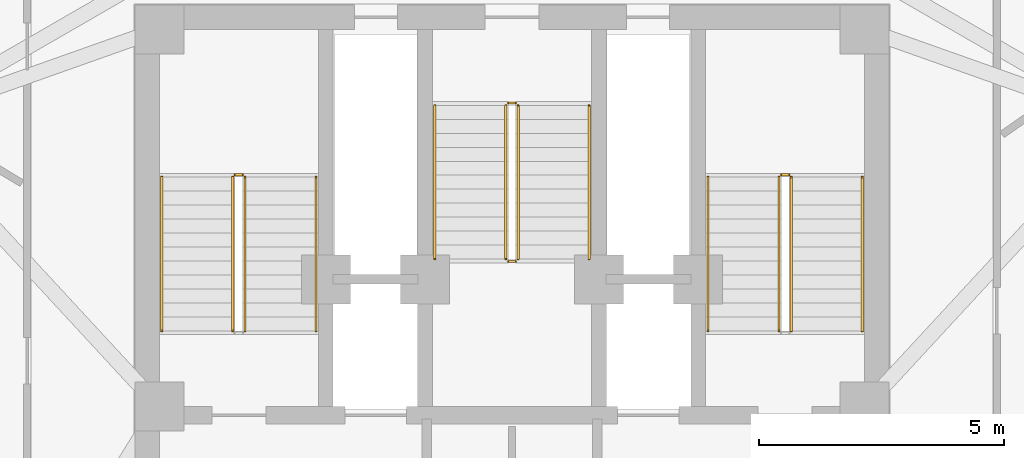
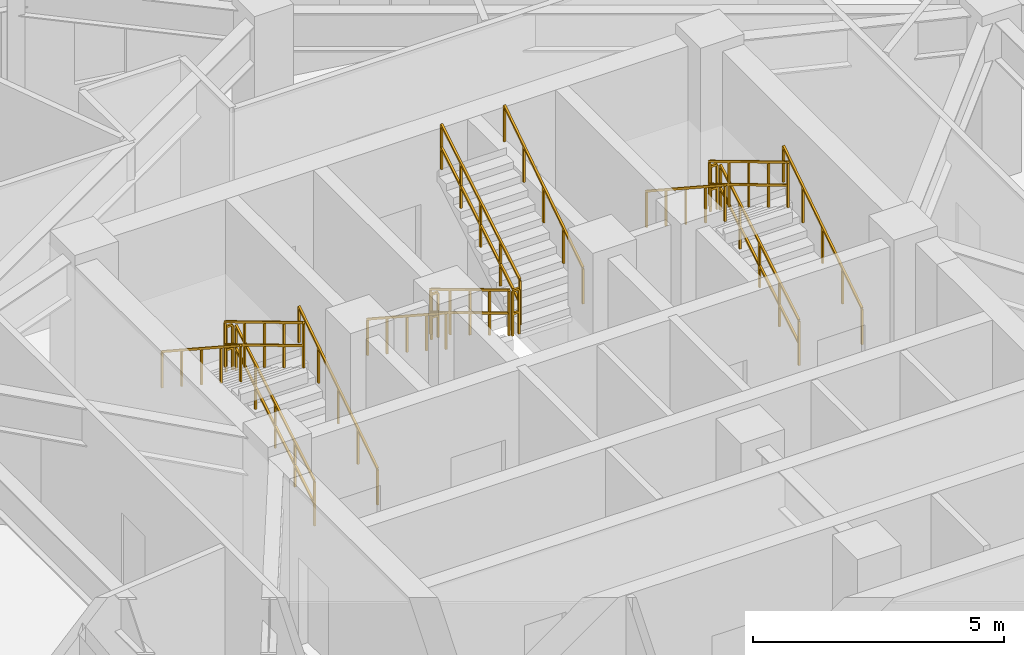
# One storey, part 10 of 10: 16 railings.
"""IFC4 building model written with IfcOpenShell, lengths in metres."""

from ifc_helpers import new_model, si_unit, direction, frame, origin, origin_2d, place, context, subcontext, project, spatial, rectangle, extrude, material, type_object, element, save


model = new_model("IFC4")

# Units and contexts
model_context = context("Model", 3, precision=1e-05, world=origin(), true_north=direction((0.0, 1.0)))
body_context = subcontext(model_context, "Body", "Model", "MODEL_VIEW")
ifc_project = project(units=[si_unit("LENGTHUNIT", "METRE"), si_unit("AREAUNIT", "SQUARE_METRE"), si_unit("VOLUMEUNIT", "CUBIC_METRE"), si_unit("PLANEANGLEUNIT", "RADIAN"), si_unit("MASSUNIT", "GRAM", prefix="KILO")], contexts=[model_context])

# Site, building, storey
site_placement = place(None, origin())
site = spatial("IfcSite", under=ifc_project, at=site_placement, CompositionType="ELEMENT")
building_placement = place(site_placement, origin())
building = spatial("IfcBuilding", under=site, at=building_placement, Name="Apsidion Concourse Tower", CompositionType="ELEMENT")
storey_placement = place(building_placement, frame((0.0, 0.0, 269.60009765625)))
storey = spatial("IfcBuildingStorey", under=building, at=storey_placement, Name="L63", CompositionType="ELEMENT", Elevation=269.60009765625)

# Railings
ifc_material = material(Name="Brushed stainless steel 316", Category="steel")
railing_type_1 = type_object("IfcRailingType", Name="RL-GUARD-1100", PredefinedType="GUARDRAIL", material=ifc_material)
railing_1_placement = place(storey_placement, frame((-5.449951171875, 3.0, 0.170654296875)))
element("IfcRailing", 1, at=railing_1_placement, inside=storey, type_object=railing_type_1, Name="L63 ST1 stair guard 1", PredefinedType="GUARDRAIL", context=body_context, shape_type="SweptSolid", body=[
    extrude(rectangle(XDim=0.048095703125, YDim=0.048095703125, at=origin_2d()), frame((0.0, 0.0, 1.09619140625), z_axis=(0.0, 0.857716804754, 0.514122439544), x_axis=(-1.0, 0.0, 0.0)), (0.0, 0.0, 1.0), 3.655029296875),
    extrude(rectangle(XDim=0.048095703125, YDim=0.048095703125, at=origin_2d()), frame((0.0, 0.0, 0.5361328125), z_axis=(0.0, 0.857716804754, 0.514122439544), x_axis=(-1.0, 0.0, 0.0)), (0.0, 0.0, 1.0), 3.655029296875),
    extrude(rectangle(XDim=0.0419921875, YDim=0.0419921875, at=origin_2d()), origin(), (0.0, 0.0, 1.0), 1.072021484375),
    extrude(rectangle(XDim=0.0419921875, YDim=0.0419921875, at=origin_2d()), frame((0.0, 0.78369140625, 0.4697265625)), (0.0, 0.0, 1.0), 1.072021484375),
    extrude(rectangle(XDim=0.0419921875, YDim=0.0419921875, at=origin_2d()), frame((0.0, 1.5673828125, 0.939453125)), (0.0, 0.0, 1.0), 1.072021484375),
    extrude(rectangle(XDim=0.0419921875, YDim=0.0419921875, at=origin_2d()), frame((0.0, 2.351318359375, 1.409423828125)), (0.0, 0.0, 1.0), 1.072021484375),
    extrude(rectangle(XDim=0.0419921875, YDim=0.0419921875, at=origin_2d()), frame((0.0, 3.135009765625, 1.879150390625)), (0.0, 0.0, 1.0), 1.072021484375),
])
railing_2_placement = place(storey_placement, frame((-5.5, 6.18505859375, 2.0498046875)))
element("IfcRailing", 2, at=railing_2_placement, inside=storey, type_object=railing_type_1, Name="L63 ST1 stair guard 2", PredefinedType="GUARDRAIL", context=body_context, shape_type="SweptSolid", body=[
    extrude(rectangle(XDim=0.048095703125, YDim=0.048095703125, at=origin_2d()), frame((0.0, 0.0, 1.09619140625), z_axis=(-1.0, 0.0, 0.0), x_axis=(0.0, -1.0, 0.0)), (0.0, 0.0, 1.0), 0.14990234375),
    extrude(rectangle(XDim=0.048095703125, YDim=0.048095703125, at=origin_2d()), frame((0.0, 0.0, 0.5361328125), z_axis=(-1.0, 0.0, 0.0), x_axis=(0.0, -1.0, 0.0)), (0.0, 0.0, 1.0), 0.14990234375),
    extrude(rectangle(XDim=0.0419921875, YDim=0.0419921875, at=origin_2d()), origin(), (0.0, 0.0, 1.0), 1.072021484375),
    extrude(rectangle(XDim=0.0419921875, YDim=0.0419921875, at=origin_2d()), frame((-0.14990234375, 0.0, 0.0)), (0.0, 0.0, 1.0), 1.072021484375),
])
railing_3_placement = place(storey_placement, frame((-5.699951171875, 6.135009765625, 2.220703125)))
element("IfcRailing", 3, at=railing_3_placement, inside=storey, type_object=railing_type_1, Name="L63 ST1 stair guard 3", PredefinedType="GUARDRAIL", context=body_context, shape_type="SweptSolid", body=[
    extrude(rectangle(XDim=0.048095703125, YDim=0.048095703125, at=origin_2d()), frame((0.0, 0.0, 1.09619140625), z_axis=(0.0, -0.857716804754, 0.514122439544), x_axis=(1.0, 0.0, 0.0)), (0.0, 0.0, 1.0), 3.655029296875),
    extrude(rectangle(XDim=0.048095703125, YDim=0.048095703125, at=origin_2d()), frame((0.0, 0.0, 0.5361328125), z_axis=(0.0, -0.857716804754, 0.514122439544), x_axis=(1.0, 0.0, 0.0)), (0.0, 0.0, 1.0), 3.655029296875),
    extrude(rectangle(XDim=0.0419921875, YDim=0.0419921875, at=origin_2d()), origin(), (0.0, 0.0, 1.0), 1.072021484375),
    extrude(rectangle(XDim=0.0419921875, YDim=0.0419921875, at=origin_2d()), frame((0.0, -0.78369140625, 0.4697265625)), (0.0, 0.0, 1.0), 1.072021484375),
    extrude(rectangle(XDim=0.0419921875, YDim=0.0419921875, at=origin_2d()), frame((0.0, -1.5673828125, 0.939453125)), (0.0, 0.0, 1.0), 1.072021484375),
    extrude(rectangle(XDim=0.0419921875, YDim=0.0419921875, at=origin_2d()), frame((0.0, -2.351318359375, 1.409423828125)), (0.0, 0.0, 1.0), 1.072021484375),
    extrude(rectangle(XDim=0.0419921875, YDim=0.0419921875, at=origin_2d()), frame((0.0, -3.135009765625, 1.879150390625)), (0.0, 0.0, 1.0), 1.072021484375),
])
railing_4_placement = place(storey_placement, frame((5.699951171875, 3.0, 0.170654296875)))
element("IfcRailing", 4, at=railing_4_placement, inside=storey, type_object=railing_type_1, Name="L63 ST2 stair guard 1", PredefinedType="GUARDRAIL", context=body_context, shape_type="SweptSolid", body=[
    extrude(rectangle(XDim=0.048095703125, YDim=0.048095703125, at=origin_2d()), frame((0.0, 0.0, 1.09619140625), z_axis=(0.0, 0.857716804754, 0.514122439544), x_axis=(-1.0, 0.0, 0.0)), (0.0, 0.0, 1.0), 3.655029296875),
    extrude(rectangle(XDim=0.048095703125, YDim=0.048095703125, at=origin_2d()), frame((0.0, 0.0, 0.5361328125), z_axis=(0.0, 0.857716804754, 0.514122439544), x_axis=(-1.0, 0.0, 0.0)), (0.0, 0.0, 1.0), 3.655029296875),
    extrude(rectangle(XDim=0.0419921875, YDim=0.0419921875, at=origin_2d()), origin(), (0.0, 0.0, 1.0), 1.072021484375),
    extrude(rectangle(XDim=0.0419921875, YDim=0.0419921875, at=origin_2d()), frame((0.0, 0.78369140625, 0.4697265625)), (0.0, 0.0, 1.0), 1.072021484375),
    extrude(rectangle(XDim=0.0419921875, YDim=0.0419921875, at=origin_2d()), frame((0.0, 1.5673828125, 0.939453125)), (0.0, 0.0, 1.0), 1.072021484375),
    extrude(rectangle(XDim=0.0419921875, YDim=0.0419921875, at=origin_2d()), frame((0.0, 2.351318359375, 1.409423828125)), (0.0, 0.0, 1.0), 1.072021484375),
    extrude(rectangle(XDim=0.0419921875, YDim=0.0419921875, at=origin_2d()), frame((0.0, 3.135009765625, 1.879150390625)), (0.0, 0.0, 1.0), 1.072021484375),
])
railing_5_placement = place(storey_placement, frame((5.64990234375, 6.18505859375, 2.0498046875)))
element("IfcRailing", 5, at=railing_5_placement, inside=storey, type_object=railing_type_1, Name="L63 ST2 stair guard 2", PredefinedType="GUARDRAIL", context=body_context, shape_type="SweptSolid", body=[
    extrude(rectangle(XDim=0.048095703125, YDim=0.048095703125, at=origin_2d()), frame((0.0, 0.0, 1.09619140625), z_axis=(-1.0, 0.0, 0.0), x_axis=(0.0, -1.0, 0.0)), (0.0, 0.0, 1.0), 0.14990234375),
    extrude(rectangle(XDim=0.048095703125, YDim=0.048095703125, at=origin_2d()), frame((0.0, 0.0, 0.5361328125), z_axis=(-1.0, 0.0, 0.0), x_axis=(0.0, -1.0, 0.0)), (0.0, 0.0, 1.0), 0.14990234375),
    extrude(rectangle(XDim=0.0419921875, YDim=0.0419921875, at=origin_2d()), origin(), (0.0, 0.0, 1.0), 1.072021484375),
    extrude(rectangle(XDim=0.0419921875, YDim=0.0419921875, at=origin_2d()), frame((-0.14990234375, 0.0, 0.0)), (0.0, 0.0, 1.0), 1.072021484375),
])
for number, where, name in (
    (6, (5.449951171875, 6.135009765625, 2.220703125), "L63 ST2 stair guard 3"),
    (7, (-0.125, 7.60009765625, 0.170654296875), "L63 ST3 stair guard 1"),
):
    element("IfcRailing", number, at=place(storey_placement, frame(where)), inside=storey, type_object=railing_type_1, Name=name, PredefinedType="GUARDRAIL", context=body_context, shape_type="SweptSolid", body=[
        extrude(rectangle(XDim=0.048095703125, YDim=0.048095703125, at=origin_2d()), frame((0.0, 0.0, 1.09619140625), z_axis=(0.0, -0.857716804754, 0.514122439544), x_axis=(1.0, 0.0, 0.0)), (0.0, 0.0, 1.0), 3.655029296875),
        extrude(rectangle(XDim=0.048095703125, YDim=0.048095703125, at=origin_2d()), frame((0.0, 0.0, 0.5361328125), z_axis=(0.0, -0.857716804754, 0.514122439544), x_axis=(1.0, 0.0, 0.0)), (0.0, 0.0, 1.0), 3.655029296875),
        extrude(rectangle(XDim=0.0419921875, YDim=0.0419921875, at=origin_2d()), origin(), (0.0, 0.0, 1.0), 1.072021484375),
        extrude(rectangle(XDim=0.0419921875, YDim=0.0419921875, at=origin_2d()), frame((0.0, -0.78369140625, 0.4697265625)), (0.0, 0.0, 1.0), 1.072021484375),
        extrude(rectangle(XDim=0.0419921875, YDim=0.0419921875, at=origin_2d()), frame((0.0, -1.5673828125, 0.939453125)), (0.0, 0.0, 1.0), 1.072021484375),
        extrude(rectangle(XDim=0.0419921875, YDim=0.0419921875, at=origin_2d()), frame((0.0, -2.351318359375, 1.409423828125)), (0.0, 0.0, 1.0), 1.072021484375),
        extrude(rectangle(XDim=0.0419921875, YDim=0.0419921875, at=origin_2d()), frame((0.0, -3.135009765625, 1.879150390625)), (0.0, 0.0, 1.0), 1.072021484375),
    ])
railing_6_placement = place(storey_placement, frame((-0.074951171875, 4.4150390625, 2.0498046875)))
element("IfcRailing", 8, at=railing_6_placement, inside=storey, type_object=railing_type_1, Name="L63 ST3 stair guard 2", PredefinedType="GUARDRAIL", context=body_context, shape_type="SweptSolid", body=[
    extrude(rectangle(XDim=0.048095703125, YDim=0.048095703125, at=origin_2d()), frame((0.0, 0.0, 1.09619140625), z_axis=(1.0, 0.0, 0.0), x_axis=(0.0, 1.0, 0.0)), (0.0, 0.0, 1.0), 0.14990234375),
    extrude(rectangle(XDim=0.048095703125, YDim=0.048095703125, at=origin_2d()), frame((0.0, 0.0, 0.5361328125), z_axis=(1.0, 0.0, 0.0), x_axis=(0.0, 1.0, 0.0)), (0.0, 0.0, 1.0), 0.14990234375),
    extrude(rectangle(XDim=0.0419921875, YDim=0.0419921875, at=origin_2d()), origin(), (0.0, 0.0, 1.0), 1.072021484375),
    extrude(rectangle(XDim=0.0419921875, YDim=0.0419921875, at=origin_2d()), frame((0.14990234375, 0.0, 0.0)), (0.0, 0.0, 1.0), 1.072021484375),
])
railing_7_placement = place(storey_placement, frame((0.125, 4.465087890625, 2.220703125)))
element("IfcRailing", 9, at=railing_7_placement, inside=storey, type_object=railing_type_1, Name="L63 ST3 stair guard 3", PredefinedType="GUARDRAIL", context=body_context, shape_type="SweptSolid", body=[
    extrude(rectangle(XDim=0.048095703125, YDim=0.048095703125, at=origin_2d()), frame((0.0, 0.0, 1.09619140625), z_axis=(0.0, 0.857716804754, 0.514122439544), x_axis=(-1.0, 0.0, 0.0)), (0.0, 0.0, 1.0), 3.655029296875),
    extrude(rectangle(XDim=0.048095703125, YDim=0.048095703125, at=origin_2d()), frame((0.0, 0.0, 0.5361328125), z_axis=(0.0, 0.857716804754, 0.514122439544), x_axis=(-1.0, 0.0, 0.0)), (0.0, 0.0, 1.0), 3.655029296875),
    extrude(rectangle(XDim=0.0419921875, YDim=0.0419921875, at=origin_2d()), origin(), (0.0, 0.0, 1.0), 1.072021484375),
    extrude(rectangle(XDim=0.0419921875, YDim=0.0419921875, at=origin_2d()), frame((0.0, 0.78369140625, 0.4697265625)), (0.0, 0.0, 1.0), 1.072021484375),
    extrude(rectangle(XDim=0.0419921875, YDim=0.0419921875, at=origin_2d()), frame((0.0, 1.5673828125, 0.939453125)), (0.0, 0.0, 1.0), 1.072021484375),
    extrude(rectangle(XDim=0.0419921875, YDim=0.0419921875, at=origin_2d()), frame((0.0, 2.351318359375, 1.409423828125)), (0.0, 0.0, 1.0), 1.072021484375),
    extrude(rectangle(XDim=0.0419921875, YDim=0.0419921875, at=origin_2d()), frame((0.0, 3.135009765625, 1.879150390625)), (0.0, 0.0, 1.0), 1.072021484375),
])
railing_8_placement = place(storey_placement, frame((-0.074951171875, 7.64990234375, 0.0)))
element("IfcRailing", 10, at=railing_8_placement, inside=storey, type_object=railing_type_1, Name="L63 ST3 stair guard 4", PredefinedType="GUARDRAIL", context=body_context, shape_type="SweptSolid", body=[
    extrude(rectangle(XDim=0.048095703125, YDim=0.048095703125, at=origin_2d()), frame((0.0, 0.0, 1.09619140625), z_axis=(1.0, 0.0, 0.0), x_axis=(0.0, 1.0, 0.0)), (0.0, 0.0, 1.0), 0.14990234375),
    extrude(rectangle(XDim=0.048095703125, YDim=0.048095703125, at=origin_2d()), frame((0.0, 0.0, 0.5361328125), z_axis=(1.0, 0.0, 0.0), x_axis=(0.0, 1.0, 0.0)), (0.0, 0.0, 1.0), 0.14990234375),
    extrude(rectangle(XDim=0.0419921875, YDim=0.0419921875, at=origin_2d()), origin(), (0.0, 0.0, 1.0), 1.072021484375),
    extrude(rectangle(XDim=0.0419921875, YDim=0.0419921875, at=origin_2d()), frame((0.14990234375, 0.0, 0.0)), (0.0, 0.0, 1.0), 1.072021484375),
])
railing_type_2 = type_object("IfcRailingType", Name="RL-HAND-900", PredefinedType="HANDRAIL", material=ifc_material)
railing_9_placement = place(storey_placement, frame((-4.0, 3.0, 0.170654296875)))
element("IfcRailing", 11, at=railing_9_placement, inside=storey, type_object=railing_type_2, Name="L63 ST1 stair handrail 1", PredefinedType="HANDRAIL", context=body_context, shape_type="SweptSolid", body=[
    extrude(rectangle(XDim=0.048095703125, YDim=0.048095703125, at=origin_2d()), frame((0.0, 0.0, 0.8759765625), z_axis=(0.0, 0.836940907821, 0.547293263996), x_axis=(-1.0, 0.0, 0.0)), (0.0, 0.0, 1.0), 3.745849609375),
    extrude(rectangle(XDim=0.0419921875, YDim=0.0419921875, at=origin_2d()), origin(), (0.0, 0.0, 1.0), 0.851806640625),
    extrude(rectangle(XDim=0.0419921875, YDim=0.0419921875, at=origin_2d()), frame((0.0, 0.78369140625, 0.512451171875)), (0.0, 0.0, 1.0), 0.851806640625),
    extrude(rectangle(XDim=0.0419921875, YDim=0.0419921875, at=origin_2d()), frame((0.0, 1.5673828125, 1.02490234375)), (0.0, 0.0, 1.0), 0.851806640625),
    extrude(rectangle(XDim=0.0419921875, YDim=0.0419921875, at=origin_2d()), frame((0.0, 2.351318359375, 1.53759765625)), (0.0, 0.0, 1.0), 0.851806640625),
    extrude(rectangle(XDim=0.0419921875, YDim=0.0419921875, at=origin_2d()), frame((0.0, 3.135009765625, 2.050048828125)), (0.0, 0.0, 1.0), 0.851806640625),
])
railing_10_placement = place(storey_placement, frame((-7.14990234375, 6.135009765625, 2.220703125)))
element("IfcRailing", 12, at=railing_10_placement, inside=storey, type_object=railing_type_2, Name="L63 ST1 stair handrail 2", PredefinedType="HANDRAIL", context=body_context, shape_type="SweptSolid", body=[
    extrude(rectangle(XDim=0.048095703125, YDim=0.048095703125, at=origin_2d()), frame((0.0, 0.0, 0.8759765625), z_axis=(0.0, -0.836940907821, 0.547293263996), x_axis=(1.0, 0.0, 0.0)), (0.0, 0.0, 1.0), 3.745849609375),
    extrude(rectangle(XDim=0.0419921875, YDim=0.0419921875, at=origin_2d()), origin(), (0.0, 0.0, 1.0), 0.851806640625),
    extrude(rectangle(XDim=0.0419921875, YDim=0.0419921875, at=origin_2d()), frame((0.0, -0.78369140625, 0.512451171875)), (0.0, 0.0, 1.0), 0.851806640625),
    extrude(rectangle(XDim=0.0419921875, YDim=0.0419921875, at=origin_2d()), frame((0.0, -1.5673828125, 1.02490234375)), (0.0, 0.0, 1.0), 0.851806640625),
    extrude(rectangle(XDim=0.0419921875, YDim=0.0419921875, at=origin_2d()), frame((0.0, -2.351318359375, 1.53759765625)), (0.0, 0.0, 1.0), 0.851806640625),
    extrude(rectangle(XDim=0.0419921875, YDim=0.0419921875, at=origin_2d()), frame((0.0, -3.135009765625, 2.050048828125)), (0.0, 0.0, 1.0), 0.851806640625),
])
railing_11_placement = place(storey_placement, frame((7.14990234375, 3.0, 0.170654296875)))
element("IfcRailing", 13, at=railing_11_placement, inside=storey, type_object=railing_type_2, Name="L63 ST2 stair handrail 1", PredefinedType="HANDRAIL", context=body_context, shape_type="SweptSolid", body=[
    extrude(rectangle(XDim=0.048095703125, YDim=0.048095703125, at=origin_2d()), frame((0.0, 0.0, 0.8759765625), z_axis=(0.0, 0.836940907821, 0.547293263996), x_axis=(-1.0, 0.0, 0.0)), (0.0, 0.0, 1.0), 3.745849609375),
    extrude(rectangle(XDim=0.0419921875, YDim=0.0419921875, at=origin_2d()), origin(), (0.0, 0.0, 1.0), 0.851806640625),
    extrude(rectangle(XDim=0.0419921875, YDim=0.0419921875, at=origin_2d()), frame((0.0, 0.78369140625, 0.512451171875)), (0.0, 0.0, 1.0), 0.851806640625),
    extrude(rectangle(XDim=0.0419921875, YDim=0.0419921875, at=origin_2d()), frame((0.0, 1.5673828125, 1.02490234375)), (0.0, 0.0, 1.0), 0.851806640625),
    extrude(rectangle(XDim=0.0419921875, YDim=0.0419921875, at=origin_2d()), frame((0.0, 2.351318359375, 1.53759765625)), (0.0, 0.0, 1.0), 0.851806640625),
    extrude(rectangle(XDim=0.0419921875, YDim=0.0419921875, at=origin_2d()), frame((0.0, 3.135009765625, 2.050048828125)), (0.0, 0.0, 1.0), 0.851806640625),
])
for number, where, name in (
    (14, (4.0, 6.135009765625, 2.220703125), "L63 ST2 stair handrail 2"),
    (15, (-1.574951171875, 7.60009765625, 0.170654296875), "L63 ST3 stair handrail 1"),
):
    element("IfcRailing", number, at=place(storey_placement, frame(where)), inside=storey, type_object=railing_type_2, Name=name, PredefinedType="HANDRAIL", context=body_context, shape_type="SweptSolid", body=[
        extrude(rectangle(XDim=0.048095703125, YDim=0.048095703125, at=origin_2d()), frame((0.0, 0.0, 0.8759765625), z_axis=(0.0, -0.836940907821, 0.547293263996), x_axis=(1.0, 0.0, 0.0)), (0.0, 0.0, 1.0), 3.745849609375),
        extrude(rectangle(XDim=0.0419921875, YDim=0.0419921875, at=origin_2d()), origin(), (0.0, 0.0, 1.0), 0.851806640625),
        extrude(rectangle(XDim=0.0419921875, YDim=0.0419921875, at=origin_2d()), frame((0.0, -0.78369140625, 0.512451171875)), (0.0, 0.0, 1.0), 0.851806640625),
        extrude(rectangle(XDim=0.0419921875, YDim=0.0419921875, at=origin_2d()), frame((0.0, -1.5673828125, 1.02490234375)), (0.0, 0.0, 1.0), 0.851806640625),
        extrude(rectangle(XDim=0.0419921875, YDim=0.0419921875, at=origin_2d()), frame((0.0, -2.351318359375, 1.53759765625)), (0.0, 0.0, 1.0), 0.851806640625),
        extrude(rectangle(XDim=0.0419921875, YDim=0.0419921875, at=origin_2d()), frame((0.0, -3.135009765625, 2.050048828125)), (0.0, 0.0, 1.0), 0.851806640625),
    ])
railing_12_placement = place(storey_placement, frame((1.574951171875, 4.465087890625, 2.220703125)))
element("IfcRailing", 16, at=railing_12_placement, inside=storey, type_object=railing_type_2, Name="L63 ST3 stair handrail 2", PredefinedType="HANDRAIL", context=body_context, shape_type="SweptSolid", body=[
    extrude(rectangle(XDim=0.048095703125, YDim=0.048095703125, at=origin_2d()), frame((0.0, 0.0, 0.8759765625), z_axis=(0.0, 0.836940907821, 0.547293263996), x_axis=(-1.0, 0.0, 0.0)), (0.0, 0.0, 1.0), 3.745849609375),
    extrude(rectangle(XDim=0.0419921875, YDim=0.0419921875, at=origin_2d()), origin(), (0.0, 0.0, 1.0), 0.851806640625),
    extrude(rectangle(XDim=0.0419921875, YDim=0.0419921875, at=origin_2d()), frame((0.0, 0.78369140625, 0.512451171875)), (0.0, 0.0, 1.0), 0.851806640625),
    extrude(rectangle(XDim=0.0419921875, YDim=0.0419921875, at=origin_2d()), frame((0.0, 1.5673828125, 1.02490234375)), (0.0, 0.0, 1.0), 0.851806640625),
    extrude(rectangle(XDim=0.0419921875, YDim=0.0419921875, at=origin_2d()), frame((0.0, 2.351318359375, 1.53759765625)), (0.0, 0.0, 1.0), 0.851806640625),
    extrude(rectangle(XDim=0.0419921875, YDim=0.0419921875, at=origin_2d()), frame((0.0, 3.135009765625, 2.050048828125)), (0.0, 0.0, 1.0), 0.851806640625),
])

save(model, "model.ifc")
